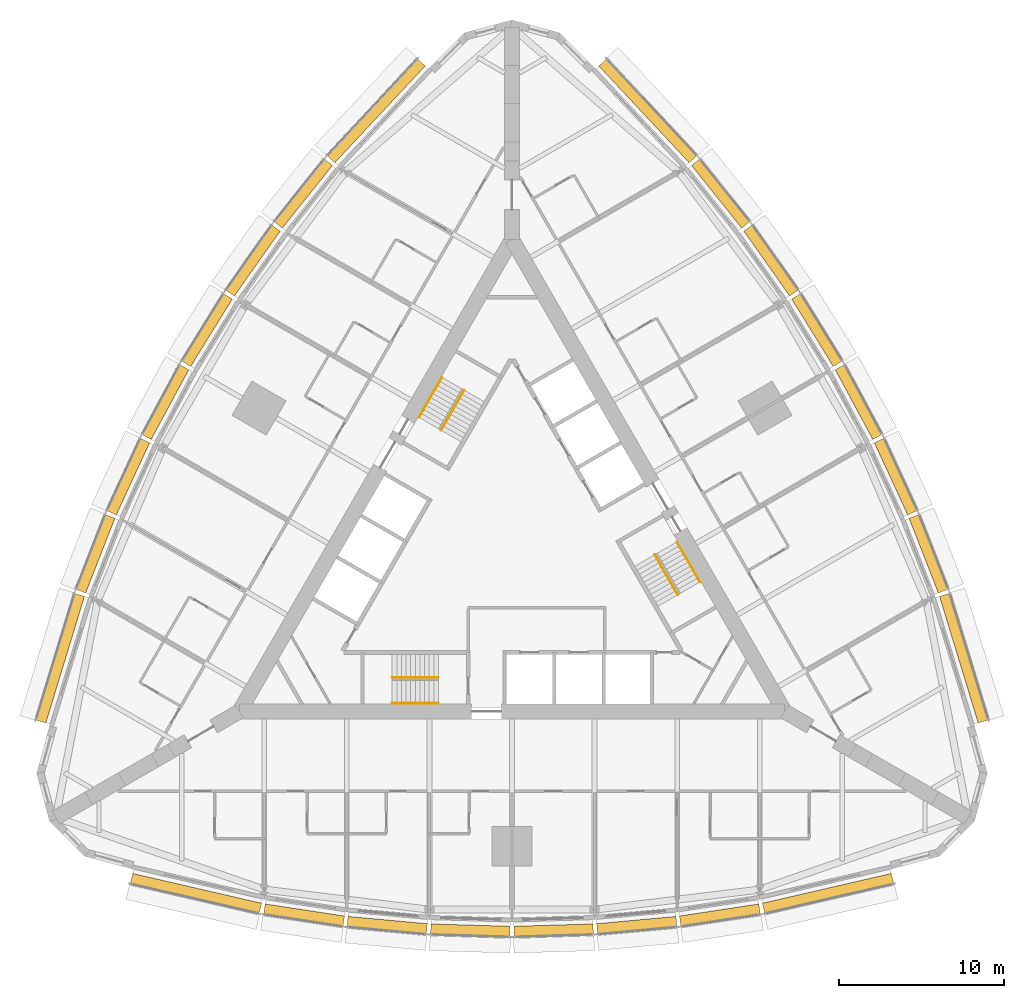
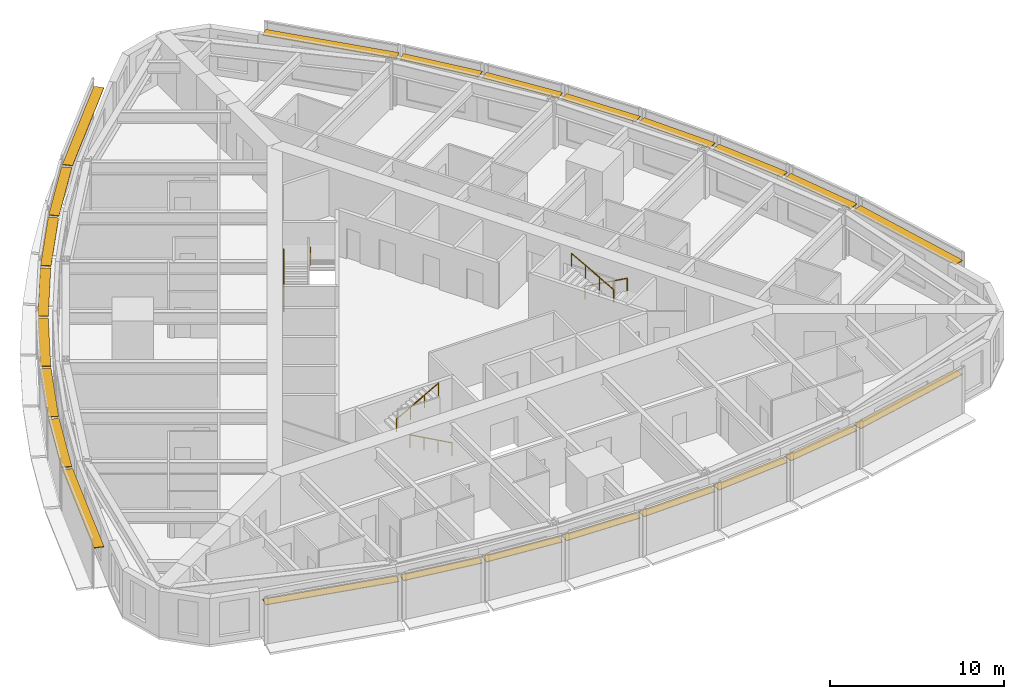
# One storey, part 14 of 14: 24 shading devices, 6 railings.
"""IFC4 building model written with IfcOpenShell, lengths in metres."""

from ifc_helpers import new_model, si_unit, direction, frame, origin, origin_2d, place, context, subcontext, project, spatial, rectangle, circle, extrude, material, type_object, element, save


model = new_model("IFC4")

# Units and contexts
model_context = context("Model", 3, precision=1e-05, world=origin(), true_north=direction((0.0, 1.0)))
body_context = subcontext(model_context, "Body", "Model", "MODEL_VIEW")
ifc_project = project(units=[si_unit("LENGTHUNIT", "METRE"), si_unit("AREAUNIT", "SQUARE_METRE"), si_unit("VOLUMEUNIT", "CUBIC_METRE"), si_unit("PLANEANGLEUNIT", "RADIAN"), si_unit("MASSUNIT", "GRAM", prefix="KILO")], contexts=[model_context])

# Site, building, storey
site_placement = place(None, origin())
site = spatial("IfcSite", under=ifc_project, at=site_placement, CompositionType="ELEMENT")
building_placement = place(site_placement, origin())
building = spatial("IfcBuilding", under=site, at=building_placement, Name="Trikona Tower", CompositionType="ELEMENT")
storey_placement = place(building_placement, frame((0.0, 0.0, 59.10009765625)))
storey = spatial("IfcBuildingStorey", under=building, at=storey_placement, Name="L14", CompositionType="ELEMENT", Elevation=59.10009765625)

# Shading devices
ifc_material_1 = material(Name="Aluminium louvre blade, pale anodised", Category="aluminium")
shading_device_type = type_object("IfcShadingDeviceType", Name="Cavity louvre 600", PredefinedType="USERDEFINED", material=ifc_material_1)
shading_device_1_placement = place(storey_placement, frame((-19.126220703125, -20.5234375, 2.77490234375), z_axis=(0.0, 0.0, 1.0), x_axis=(0.974277718622, -0.225350675607, 0.0)))
element("IfcShadingDevice", 1, at=shading_device_1_placement, inside=storey, type_object=shading_device_type, Name="Cavity louvre L14-00", ObjectType="LOUVRE", PredefinedType="USERDEFINED", context=body_context, shape_type="SweptSolid", body=[
    extrude(rectangle(XDim=8.01123046875, YDim=0.60009765625, at=origin_2d()), origin(), (0.0, 0.0, 1.0), 0.050048828125),
])
shading_device_2_placement = place(storey_placement, frame((-12.584228515625, -21.837158203125, 2.77490234375), z_axis=(0.0, 0.0, 1.0), x_axis=(0.988617896768, -0.150448177754, 0.0)))
element("IfcShadingDevice", 2, at=shading_device_2_placement, inside=storey, type_object=shading_device_type, Name="Cavity louvre L14-01", ObjectType="LOUVRE", PredefinedType="USERDEFINED", context=body_context, shape_type="SweptSolid", body=[
    extrude(rectangle(XDim=4.857666015625, YDim=0.60009765625, at=origin_2d()), origin(), (0.0, 0.0, 1.0), 0.050048828125),
])
shading_device_3_placement = place(storey_placement, frame((-7.55078125, -22.44970703125, 2.77490234375), z_axis=(0.0, 0.0, 1.0), x_axis=(0.995858098326, -0.090921108655, 0.0)))
element("IfcShadingDevice", 3, at=shading_device_3_placement, inside=storey, type_object=shading_device_type, Name="Cavity louvre L14-02", ObjectType="LOUVRE", PredefinedType="USERDEFINED", context=body_context, shape_type="SweptSolid", body=[
    extrude(rectangle(XDim=4.82080078125, YDim=0.60009765625, at=origin_2d()), origin(), (0.0, 0.0, 1.0), 0.050048828125),
])
for number, where, z_axis, x_axis, name in (
    (4, (-2.51708984375, -22.756103515625, 2.77490234375), (0.0, 0.0, 1.0), (0.999537048889, -0.030425119525, 0.0), "Cavity louvre L14-03"),
    (5, (2.51708984375, -22.756103515625, 2.77490234375), (0.0, 0.0, 1.0), (0.999537048889, 0.030425119525, 0.0), "Cavity louvre L14-04"),
):
    element("IfcShadingDevice", number, at=place(storey_placement, frame(where, z_axis=z_axis, x_axis=x_axis)), inside=storey, type_object=shading_device_type, Name=name, ObjectType="LOUVRE", PredefinedType="USERDEFINED", context=body_context, shape_type="SweptSolid", body=[
        extrude(rectangle(XDim=4.80224609375, YDim=0.60009765625, at=origin_2d()), origin(), (0.0, 0.0, 1.0), 0.050048828125),
    ])
shading_device_4_placement = place(storey_placement, frame((7.55078125, -22.44970703125, 2.77490234375), z_axis=(0.0, 0.0, 1.0), x_axis=(0.995858098326, 0.090921108655, 0.0)))
element("IfcShadingDevice", 6, at=shading_device_4_placement, inside=storey, type_object=shading_device_type, Name="Cavity louvre L14-05", ObjectType="LOUVRE", PredefinedType="USERDEFINED", context=body_context, shape_type="SweptSolid", body=[
    extrude(rectangle(XDim=4.82080078125, YDim=0.60009765625, at=origin_2d()), origin(), (0.0, 0.0, 1.0), 0.050048828125),
])
shading_device_5_placement = place(storey_placement, frame((12.584228515625, -21.837158203125, 2.77490234375), z_axis=(0.0, 0.0, 1.0), x_axis=(0.988617896768, 0.150448177754, 0.0)))
element("IfcShadingDevice", 7, at=shading_device_5_placement, inside=storey, type_object=shading_device_type, Name="Cavity louvre L14-06", ObjectType="LOUVRE", PredefinedType="USERDEFINED", context=body_context, shape_type="SweptSolid", body=[
    extrude(rectangle(XDim=4.857666015625, YDim=0.60009765625, at=origin_2d()), origin(), (0.0, 0.0, 1.0), 0.050048828125),
])
for number, where, z_axis, x_axis, name in (
    (8, (19.126220703125, -20.5234375, 2.77490234375), (0.0, 0.0, 1.0), (0.974277718622, 0.225350675607, 0.0), "Cavity louvre L14-07"),
    (9, (27.3369140625, -6.302001953125, 2.77490234375), (0.0, 0.0, 1.0), (-0.291979449475, 0.956424592471, 0.0), "Cavity louvre L14-12"),
):
    element("IfcShadingDevice", number, at=place(storey_placement, frame(where, z_axis=z_axis, x_axis=x_axis)), inside=storey, type_object=shading_device_type, Name=name, ObjectType="LOUVRE", PredefinedType="USERDEFINED", context=body_context, shape_type="SweptSolid", body=[
        extrude(rectangle(XDim=8.01123046875, YDim=0.60009765625, at=origin_2d()), origin(), (0.0, 0.0, 1.0), 0.050048828125),
    ])
shading_device_6_placement = place(storey_placement, frame((25.20361328125, 0.020263671875, 2.77490234375), z_axis=(0.0, 0.0, 1.0), x_axis=(-0.364008876551, 0.931395478726, 0.0)))
element("IfcShadingDevice", 10, at=shading_device_6_placement, inside=storey, type_object=shading_device_type, Name="Cavity louvre L14-13", ObjectType="LOUVRE", PredefinedType="USERDEFINED", context=body_context, shape_type="SweptSolid", body=[
    extrude(rectangle(XDim=4.857666015625, YDim=0.60009765625, at=origin_2d()), origin(), (0.0, 0.0, 1.0), 0.050048828125),
])
shading_device_7_placement = place(storey_placement, frame((23.217529296875, 4.685546875, 2.77490234375), z_axis=(0.0, 0.0, 1.0), x_axis=(-0.41919381307, 0.907896771161, 0.0)))
element("IfcShadingDevice", 11, at=shading_device_7_placement, inside=storey, type_object=shading_device_type, Name="Cavity louvre L14-14", ObjectType="LOUVRE", PredefinedType="USERDEFINED", context=body_context, shape_type="SweptSolid", body=[
    extrude(rectangle(XDim=4.82080078125, YDim=0.60009765625, at=origin_2d()), origin(), (0.0, 0.0, 1.0), 0.050048828125),
])
for number, where, z_axis, x_axis, name in (
    (12, (20.966064453125, 9.1982421875, 2.77490234375), (0.0, 0.0, 1.0), (-0.473422672721, 0.880835383572, 0.0), "Cavity louvre L14-15"),
    (13, (18.448974609375, 13.557861328125, 2.77490234375), (0.0, 0.0, 1.0), (-0.526118935114, 0.85041099835, 0.0), "Cavity louvre L14-16"),
):
    element("IfcShadingDevice", number, at=place(storey_placement, frame(where, z_axis=z_axis, x_axis=x_axis)), inside=storey, type_object=shading_device_type, Name=name, ObjectType="LOUVRE", PredefinedType="USERDEFINED", context=body_context, shape_type="SweptSolid", body=[
        extrude(rectangle(XDim=4.80224609375, YDim=0.60009765625, at=origin_2d()), origin(), (0.0, 0.0, 1.0), 0.050048828125),
    ])
shading_device_8_placement = place(storey_placement, frame((15.666748046875, 17.76416015625, 2.77490234375), z_axis=(0.0, 0.0, 1.0), x_axis=(-0.576661909499, 0.816982889743, 0.0)))
element("IfcShadingDevice", 14, at=shading_device_8_placement, inside=storey, type_object=shading_device_type, Name="Cavity louvre L14-17", ObjectType="LOUVRE", PredefinedType="USERDEFINED", context=body_context, shape_type="SweptSolid", body=[
    extrude(rectangle(XDim=4.82080078125, YDim=0.60009765625, at=origin_2d()), origin(), (0.0, 0.0, 1.0), 0.050048828125),
])
shading_device_9_placement = place(storey_placement, frame((12.619384765625, 21.81689453125, 2.77490234375), z_axis=(0.0, 0.0, 1.0), x_axis=(-0.624603618277, 0.780941944087, 0.0)))
element("IfcShadingDevice", 15, at=shading_device_9_placement, inside=storey, type_object=shading_device_type, Name="Cavity louvre L14-18", ObjectType="LOUVRE", PredefinedType="USERDEFINED", context=body_context, shape_type="SweptSolid", body=[
    extrude(rectangle(XDim=4.857666015625, YDim=0.60009765625, at=origin_2d()), origin(), (0.0, 0.0, 1.0), 0.050048828125),
])
for number, where, z_axis, x_axis, name in (
    (16, (8.210693359375, 26.825439453125, 2.77490234375), (0.0, 0.0, 1.0), (-0.682298269147, 0.731073916864, 0.0), "Cavity louvre L14-19"),
    (17, (-8.210693359375, 26.825439453125, 2.77490234375), (0.0, 0.0, 1.0), (-0.682298269147, -0.731073916864, 0.0), "Cavity louvre L14-24"),
):
    element("IfcShadingDevice", number, at=place(storey_placement, frame(where, z_axis=z_axis, x_axis=x_axis)), inside=storey, type_object=shading_device_type, Name=name, ObjectType="LOUVRE", PredefinedType="USERDEFINED", context=body_context, shape_type="SweptSolid", body=[
        extrude(rectangle(XDim=8.01123046875, YDim=0.60009765625, at=origin_2d()), origin(), (0.0, 0.0, 1.0), 0.050048828125),
    ])
shading_device_10_placement = place(storey_placement, frame((-12.619384765625, 21.81689453125, 2.77490234375), z_axis=(0.0, 0.0, 1.0), x_axis=(-0.624603618277, -0.780941944087, 0.0)))
element("IfcShadingDevice", 18, at=shading_device_10_placement, inside=storey, type_object=shading_device_type, Name="Cavity louvre L14-25", ObjectType="LOUVRE", PredefinedType="USERDEFINED", context=body_context, shape_type="SweptSolid", body=[
    extrude(rectangle(XDim=4.857666015625, YDim=0.60009765625, at=origin_2d()), origin(), (0.0, 0.0, 1.0), 0.050048828125),
])
shading_device_11_placement = place(storey_placement, frame((-15.666748046875, 17.76416015625, 2.77490234375), z_axis=(0.0, 0.0, 1.0), x_axis=(-0.576661909499, -0.816982889743, 0.0)))
element("IfcShadingDevice", 19, at=shading_device_11_placement, inside=storey, type_object=shading_device_type, Name="Cavity louvre L14-26", ObjectType="LOUVRE", PredefinedType="USERDEFINED", context=body_context, shape_type="SweptSolid", body=[
    extrude(rectangle(XDim=4.82080078125, YDim=0.60009765625, at=origin_2d()), origin(), (0.0, 0.0, 1.0), 0.050048828125),
])
for number, where, z_axis, x_axis, name in (
    (20, (-18.448974609375, 13.557861328125, 2.77490234375), (0.0, 0.0, 1.0), (-0.526118935114, -0.85041099835, 0.0), "Cavity louvre L14-27"),
    (21, (-20.966064453125, 9.1982421875, 2.77490234375), (0.0, 0.0, 1.0), (-0.473422672721, -0.880835383572, 0.0), "Cavity louvre L14-28"),
):
    element("IfcShadingDevice", number, at=place(storey_placement, frame(where, z_axis=z_axis, x_axis=x_axis)), inside=storey, type_object=shading_device_type, Name=name, ObjectType="LOUVRE", PredefinedType="USERDEFINED", context=body_context, shape_type="SweptSolid", body=[
        extrude(rectangle(XDim=4.80224609375, YDim=0.60009765625, at=origin_2d()), origin(), (0.0, 0.0, 1.0), 0.050048828125),
    ])
shading_device_12_placement = place(storey_placement, frame((-23.217529296875, 4.685546875, 2.77490234375), z_axis=(0.0, 0.0, 1.0), x_axis=(-0.41919381307, -0.907896771161, 0.0)))
element("IfcShadingDevice", 22, at=shading_device_12_placement, inside=storey, type_object=shading_device_type, Name="Cavity louvre L14-29", ObjectType="LOUVRE", PredefinedType="USERDEFINED", context=body_context, shape_type="SweptSolid", body=[
    extrude(rectangle(XDim=4.82080078125, YDim=0.60009765625, at=origin_2d()), origin(), (0.0, 0.0, 1.0), 0.050048828125),
])
shading_device_13_placement = place(storey_placement, frame((-25.20361328125, 0.020263671875, 2.77490234375), z_axis=(0.0, 0.0, 1.0), x_axis=(-0.364008876551, -0.931395478726, 0.0)))
element("IfcShadingDevice", 23, at=shading_device_13_placement, inside=storey, type_object=shading_device_type, Name="Cavity louvre L14-30", ObjectType="LOUVRE", PredefinedType="USERDEFINED", context=body_context, shape_type="SweptSolid", body=[
    extrude(rectangle(XDim=4.857666015625, YDim=0.60009765625, at=origin_2d()), origin(), (0.0, 0.0, 1.0), 0.050048828125),
])
shading_device_14_placement = place(storey_placement, frame((-27.3369140625, -6.302001953125, 2.77490234375), z_axis=(0.0, 0.0, 1.0), x_axis=(-0.291979449475, -0.956424592471, 0.0)))
element("IfcShadingDevice", 24, at=shading_device_14_placement, inside=storey, type_object=shading_device_type, Name="Cavity louvre L14-31", ObjectType="LOUVRE", PredefinedType="USERDEFINED", context=body_context, shape_type="SweptSolid", body=[
    extrude(rectangle(XDim=8.01123046875, YDim=0.60009765625, at=origin_2d()), origin(), (0.0, 0.0, 1.0), 0.050048828125),
])

# Railings
ifc_material_2 = material(Name="Stainless steel handrail", Category="steel")
railing_type = type_object("IfcRailingType", Name="Stair handrail", PredefinedType="HANDRAIL", material=ifc_material_2)
railing_1_placement = place(storey_placement, frame((-4.449951171875, -9.016357421875, 0.154296875)))
element("IfcRailing", 25, at=railing_1_placement, inside=storey, type_object=railing_type, Name="Stair handrail A L14 1", PredefinedType="HANDRAIL", context=body_context, shape_type="SweptSolid", body=[
    extrude(circle(Radius=0.02392578125, at=origin_2d()), frame((0.0, 0.0, 0.8759765625), z_axis=(-0.875471895205, 0.0, 0.483269035534), x_axis=(0.0, -1.0, 0.0)), (0.0, 0.0, 1.0), 3.1982421875),
    extrude(circle(Radius=0.02099609375, at=origin_2d()), origin(), (0.0, 0.0, 1.0), 0.851806640625),
    extrude(circle(Radius=0.02099609375, at=origin_2d()), frame((-0.933349609375, 0.0, 0.51513671875)), (0.0, 0.0, 1.0), 0.851806640625),
    extrude(circle(Radius=0.02099609375, at=origin_2d()), frame((-1.86669921875, 0.0, 1.030517578125)), (0.0, 0.0, 1.0), 0.851806640625),
    extrude(circle(Radius=0.02099609375, at=origin_2d()), frame((-2.800048828125, 0.0, 1.545654296875)), (0.0, 0.0, 1.0), 0.851806640625),
])
railing_2_placement = place(storey_placement, frame((-7.25, -7.46630859375, 1.8544921875)))
element("IfcRailing", 26, at=railing_2_placement, inside=storey, type_object=railing_type, Name="Stair handrail A L14 2", PredefinedType="HANDRAIL", context=body_context, shape_type="SweptSolid", body=[
    extrude(circle(Radius=0.02392578125, at=origin_2d()), frame((0.0, 0.0, 0.8759765625), z_axis=(0.875504190374, 0.0, 0.483210526207), x_axis=(0.0, 1.0, 0.0)), (0.0, 0.0, 1.0), 3.1982421875),
    extrude(circle(Radius=0.02099609375, at=origin_2d()), origin(), (0.0, 0.0, 1.0), 0.851806640625),
    extrude(circle(Radius=0.02099609375, at=origin_2d()), frame((0.933349609375, 0.0, 0.51513671875)), (0.0, 0.0, 1.0), 0.851806640625),
    extrude(circle(Radius=0.02099609375, at=origin_2d()), frame((1.86669921875, 0.0, 1.0302734375)), (0.0, 0.0, 1.0), 0.851806640625),
    extrude(circle(Radius=0.02099609375, at=origin_2d()), frame((2.800048828125, 0.0, 1.54541015625)), (0.0, 0.0, 1.0), 0.851806640625),
])
railing_3_placement = place(storey_placement, frame((9.9833984375, 0.740966796875, 0.154296875)))
element("IfcRailing", 27, at=railing_3_placement, inside=storey, type_object=railing_type, Name="Stair handrail B L14 1", PredefinedType="HANDRAIL", context=body_context, shape_type="SweptSolid", body=[
    extrude(circle(Radius=0.02392578125, at=origin_2d()), frame((0.0, 0.0, 0.8759765625), z_axis=(0.437691042731, -0.758211567396, 0.483261596012), x_axis=(0.866056369097, 0.49994636267, 0.0)), (0.0, 0.0, 1.0), 3.198486328125),
    extrude(circle(Radius=0.02099609375, at=origin_2d()), origin(), (0.0, 0.0, 1.0), 0.851806640625),
    extrude(circle(Radius=0.02099609375, at=origin_2d()), frame((0.466552734375, -0.808349609375, 0.51513671875)), (0.0, 0.0, 1.0), 0.851806640625),
    extrude(circle(Radius=0.02099609375, at=origin_2d()), frame((0.933349609375, -1.61669921875, 1.030517578125)), (0.0, 0.0, 1.0), 0.851806640625),
    extrude(circle(Radius=0.02099609375, at=origin_2d()), frame((1.39990234375, -2.425048828125, 1.545654296875)), (0.0, 0.0, 1.0), 0.851806640625),
])
railing_4_placement = place(storey_placement, frame((10.041015625, -2.458984375, 1.8544921875)))
element("IfcRailing", 28, at=railing_4_placement, inside=storey, type_object=railing_type, Name="Stair handrail B L14 2", PredefinedType="HANDRAIL", context=body_context, shape_type="SweptSolid", body=[
    extrude(circle(Radius=0.02392578125, at=origin_2d()), frame((0.0, 0.0, 0.8759765625), z_axis=(-0.437707188162, 0.758239536103, 0.483203087036), x_axis=(-0.866056369097, -0.49994636267, 0.0)), (0.0, 0.0, 1.0), 3.1982421875),
    extrude(circle(Radius=0.02099609375, at=origin_2d()), origin(), (0.0, 0.0, 1.0), 0.851806640625),
    extrude(circle(Radius=0.02099609375, at=origin_2d()), frame((-0.466552734375, 0.808349609375, 0.51513671875)), (0.0, 0.0, 1.0), 0.851806640625),
    extrude(circle(Radius=0.02099609375, at=origin_2d()), frame((-0.933349609375, 1.61669921875, 1.0302734375)), (0.0, 0.0, 1.0), 0.851806640625),
    extrude(circle(Radius=0.02099609375, at=origin_2d()), frame((-1.39990234375, 2.425048828125, 1.54541015625)), (0.0, 0.0, 1.0), 0.851806640625),
])
railing_5_placement = place(storey_placement, frame((-5.63330078125, 8.275390625, 0.154296875)))
element("IfcRailing", 29, at=railing_5_placement, inside=storey, type_object=railing_type, Name="Stair handrail C L14 1", PredefinedType="HANDRAIL", context=body_context, shape_type="SweptSolid", body=[
    extrude(circle(Radius=0.02392578125, at=origin_2d()), frame((0.0, 0.0, 0.8759765625), z_axis=(0.437716375571, 0.758179114435, 0.4832895664), x_axis=(-0.866034573852, 0.49998411664, 0.0)), (0.0, 0.0, 1.0), 3.1982421875),
    extrude(circle(Radius=0.02099609375, at=origin_2d()), origin(), (0.0, 0.0, 1.0), 0.851806640625),
    extrude(circle(Radius=0.02099609375, at=origin_2d()), frame((0.466552734375, 0.808349609375, 0.51513671875)), (0.0, 0.0, 1.0), 0.851806640625),
    extrude(circle(Radius=0.02099609375, at=origin_2d()), frame((0.933349609375, 1.616455078125, 1.030517578125)), (0.0, 0.0, 1.0), 0.851806640625),
    extrude(circle(Radius=0.02099609375, at=origin_2d()), frame((1.39990234375, 2.4248046875, 1.545654296875)), (0.0, 0.0, 1.0), 0.851806640625),
])
railing_6_placement = place(storey_placement, frame((-2.89111328125, 9.92529296875, 1.8544921875)))
element("IfcRailing", 30, at=railing_6_placement, inside=storey, type_object=railing_type, Name="Stair handrail C L14 2", PredefinedType="HANDRAIL", context=body_context, shape_type="SweptSolid", body=[
    extrude(circle(Radius=0.02392578125, at=origin_2d()), frame((0.0, 0.0, 0.8759765625), z_axis=(-0.437707188162, -0.758239536103, 0.483203087036), x_axis=(0.866056369097, -0.49994636267, 0.0)), (0.0, 0.0, 1.0), 3.1982421875),
    extrude(circle(Radius=0.02099609375, at=origin_2d()), origin(), (0.0, 0.0, 1.0), 0.851806640625),
    extrude(circle(Radius=0.02099609375, at=origin_2d()), frame((-0.466552734375, -0.808349609375, 0.51513671875)), (0.0, 0.0, 1.0), 0.851806640625),
    extrude(circle(Radius=0.02099609375, at=origin_2d()), frame((-0.933349609375, -1.61669921875, 1.0302734375)), (0.0, 0.0, 1.0), 0.851806640625),
    extrude(circle(Radius=0.02099609375, at=origin_2d()), frame((-1.39990234375, -2.425048828125, 1.54541015625)), (0.0, 0.0, 1.0), 0.851806640625),
])

save(model, "model.ifc")
